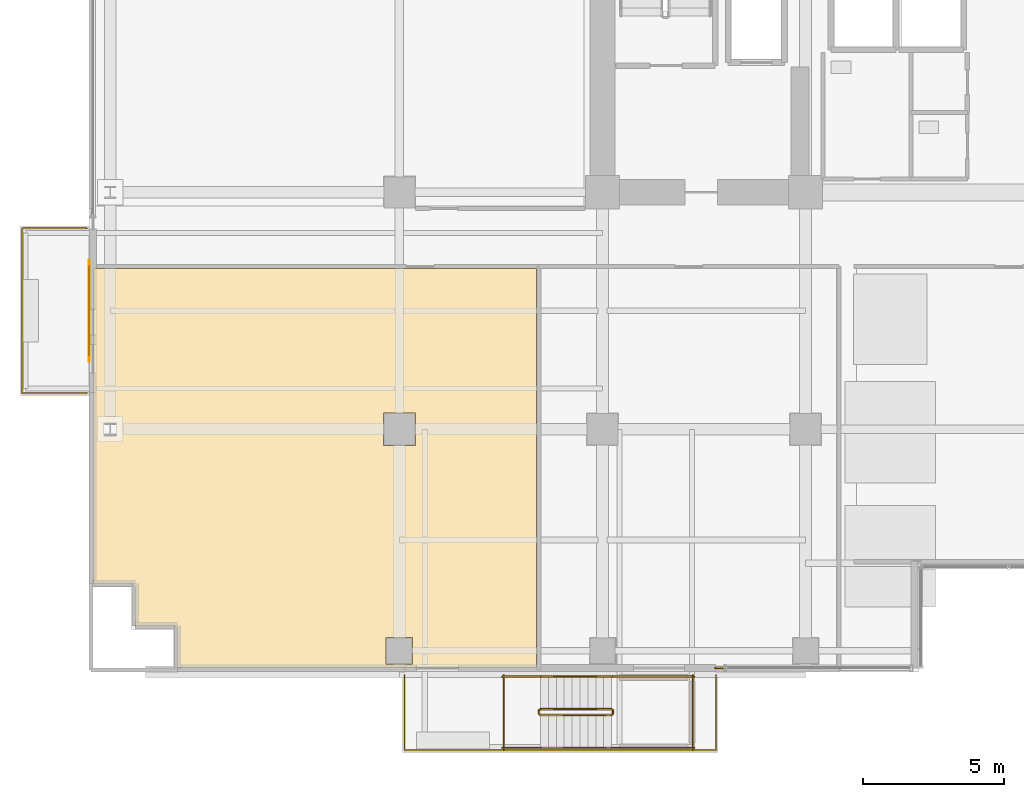
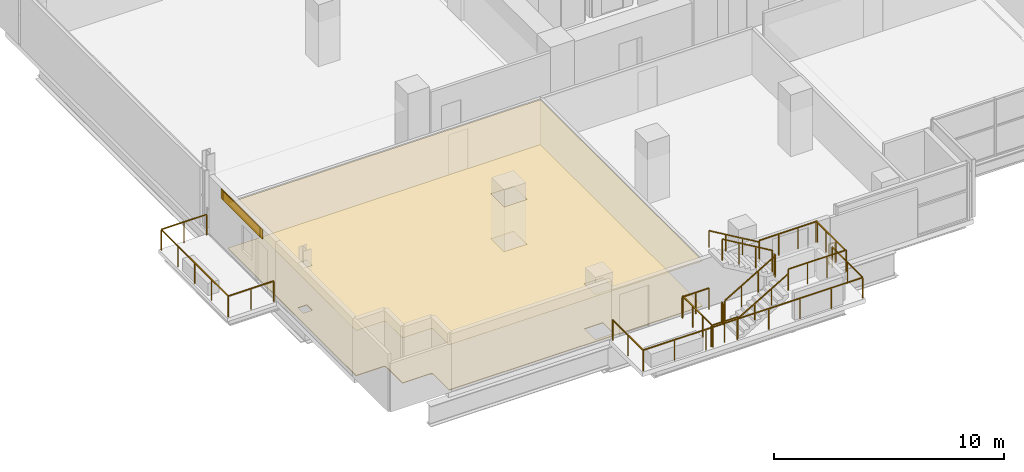
# One storey, part 28 of 32: 15 railings, 3 coverings, 1 shading device.
"""IFC4 building model written with IfcOpenShell, lengths in metres."""

from ifc_helpers import new_model, si_unit, direction, frame, origin, origin_2d, place, context, subcontext, project, spatial, polyline, rectangle, outline, extrude, source, transform, mapped, material, layer, layer_set, type_object, element, save


model = new_model("IFC4")

# Units and contexts
model_context = context("Model", 3, precision=1e-05, world=origin(), true_north=direction((0.0, 1.0)))
body_context = subcontext(model_context, "Body", "Model", "MODEL_VIEW")
ifc_project = project(units=[si_unit("LENGTHUNIT", "METRE"), si_unit("AREAUNIT", "SQUARE_METRE"), si_unit("VOLUMEUNIT", "CUBIC_METRE"), si_unit("PLANEANGLEUNIT", "RADIAN"), si_unit("MASSUNIT", "GRAM", prefix="KILO")], contexts=[model_context])

# Site, building, storey
site_placement = place(None, origin())
site = spatial("IfcSite", under=ifc_project, at=site_placement, CompositionType="ELEMENT")
building_placement = place(site_placement, origin())
building = spatial("IfcBuilding", under=site, at=building_placement, Name="Zarnakvel Exchange Tower", CompositionType="ELEMENT")
storey_placement = place(building_placement, frame((0.0, 0.0, 27.39990234375)))
storey = spatial("IfcBuildingStorey", under=building, at=storey_placement, Name="L06", CompositionType="ELEMENT", Elevation=27.39990234375)

# Coverings
ifc_material_1 = material(Name="Perforated Bronze Acoustic Metal Ceiling", Category="aluminium")
ifc_layer_1 = layer(ifc_material_1, 0.02001953125)
ifc_layer_set_1 = layer_set([ifc_layer_1], Name="Perforated Bronze Acoustic Metal Ceiling")
covering_type_1 = type_object("IfcCoveringType", Name="CLG-01", PredefinedType="CEILING", material=ifc_layer_set_1)
covering_1_placement = place(storey_placement, frame((0.0, 0.0, 2.405029296875)))
element("IfcCovering", 1, at=covering_1_placement, inside=storey, type_object=covering_type_1, Name="L06 Suspended Acoustic Ceiling (Electronic Trading Hall)", PredefinedType="CEILING", context=body_context, shape_type="SweptSolid", body=[
    extrude(outline(polyline([(-16.736083984375, -3.909912109375), (-16.736083984375, -18.050048828125), (-29.47998046875, -18.050048828125), (-29.47998046875, -16.699951171875), (-29.48046875, -16.688232421875), (-29.482421875, -16.676513671875), (-29.485107421875, -16.665283203125), (-29.489013671875, -16.654052734375), (-29.494140625, -16.643310546875), (-29.500244140625, -16.63330078125), (-29.50732421875, -16.623779296875), (-29.51513671875, -16.615234375), (-29.52392578125, -16.607177734375), (-29.533447265625, -16.600341796875), (-29.54345703125, -16.59423828125), (-29.55419921875, -16.589111328125), (-29.565185546875, -16.585205078125), (-29.57666015625, -16.582275390625), (-29.588134765625, -16.58056640625), (-29.60009765625, -16.580078125), (-30.97998046875, -16.580078125), (-30.97998046875, -15.199951171875), (-30.98046875, -15.188232421875), (-30.982421875, -15.176513671875), (-30.985107421875, -15.165283203125), (-30.989013671875, -15.154052734375), (-30.994140625, -15.143310546875), (-31.000244140625, -15.13330078125), (-31.00732421875, -15.123779296875), (-31.01513671875, -15.115234375), (-31.02392578125, -15.107177734375), (-31.033447265625, -15.100341796875), (-31.04345703125, -15.09423828125), (-31.05419921875, -15.089111328125), (-31.065185546875, -15.085205078125), (-31.07666015625, -15.082275390625), (-31.088134765625, -15.08056640625), (-31.10009765625, -15.080078125), (-32.449951171875, -15.080078125), (-32.449951171875, -3.909912109375), (-16.736083984375, -3.909912109375)]), holes=[polyline([(-21.030029296875, -10.169921875), (-21.030029296875, -9.030029296875), (-22.169921875, -9.030029296875), (-22.169921875, -10.169921875), (-21.030029296875, -10.169921875)]), polyline([(-21.1298828125, -17.919921875), (-21.1298828125, -16.97998046875), (-22.070068359375, -16.97998046875), (-22.070068359375, -17.919921875), (-21.1298828125, -17.919921875)]), polyline([(-32.075927734375, -9.83251953125), (-31.6240234375, -9.83251953125), (-31.6240234375, -9.367431640625), (-32.075927734375, -9.367431640625), (-32.075927734375, -9.83251953125)])]), origin(), (0.0, 0.0, 1.0), 0.02001953125),
])
ifc_material_2 = material(Name="Heavy-Duty Raised Access Floor Panel", Category="steel")
ifc_layer_2 = layer(ifc_material_2, 0.034912109375)
ifc_layer_set_2 = layer_set([ifc_layer_2], Name="Heavy-Duty Raised Access Floor Panel")
covering_type_2 = type_object("IfcCoveringType", Name="FLR-02", PredefinedType="FLOORING", material=ifc_layer_set_2)
covering_2_placement = place(storey_placement, origin())
element("IfcCovering", 2, at=covering_2_placement, inside=storey, type_object=covering_type_2, Name="L06 Floor Finish (Electronic Trading Hall)", PredefinedType="FLOORING", context=body_context, shape_type="SweptSolid", body=[
    extrude(outline(polyline([(-16.736083984375, -3.909912109375), (-16.736083984375, -18.050048828125), (-29.47998046875, -18.050048828125), (-29.47998046875, -16.699951171875), (-29.48046875, -16.688232421875), (-29.482421875, -16.676513671875), (-29.485107421875, -16.665283203125), (-29.489013671875, -16.654052734375), (-29.494140625, -16.643310546875), (-29.500244140625, -16.63330078125), (-29.50732421875, -16.623779296875), (-29.51513671875, -16.615234375), (-29.52392578125, -16.607177734375), (-29.533447265625, -16.600341796875), (-29.54345703125, -16.59423828125), (-29.55419921875, -16.589111328125), (-29.565185546875, -16.585205078125), (-29.57666015625, -16.582275390625), (-29.588134765625, -16.58056640625), (-29.60009765625, -16.580078125), (-30.97998046875, -16.580078125), (-30.97998046875, -15.199951171875), (-30.98046875, -15.188232421875), (-30.982421875, -15.176513671875), (-30.985107421875, -15.165283203125), (-30.989013671875, -15.154052734375), (-30.994140625, -15.143310546875), (-31.000244140625, -15.13330078125), (-31.00732421875, -15.123779296875), (-31.01513671875, -15.115234375), (-31.02392578125, -15.107177734375), (-31.033447265625, -15.100341796875), (-31.04345703125, -15.09423828125), (-31.05419921875, -15.089111328125), (-31.065185546875, -15.085205078125), (-31.07666015625, -15.082275390625), (-31.088134765625, -15.08056640625), (-31.10009765625, -15.080078125), (-32.449951171875, -15.080078125), (-32.449951171875, -3.909912109375), (-16.736083984375, -3.909912109375)]), holes=[polyline([(-21.030029296875, -10.169921875), (-21.030029296875, -9.030029296875), (-22.169921875, -9.030029296875), (-22.169921875, -10.169921875), (-21.030029296875, -10.169921875)]), polyline([(-21.1298828125, -17.919921875), (-21.1298828125, -16.97998046875), (-22.070068359375, -16.97998046875), (-22.070068359375, -17.919921875), (-21.1298828125, -17.919921875)]), polyline([(-32.075927734375, -9.83251953125), (-31.6240234375, -9.83251953125), (-31.6240234375, -9.367431640625), (-32.075927734375, -9.367431640625), (-32.075927734375, -9.83251953125)])]), origin(), (0.0, 0.0, 1.0), 0.03515625),
])

# Railings
ifc_material_3 = material(Name="Architectural Bronze Anodised Aluminium", Category="aluminium")
railing_type_1 = type_object("IfcRailingType", Name="GR-02", PredefinedType="GUARDRAIL", material=ifc_material_3)
railing_1_placement = place(storey_placement, frame((-32.679931640625, -8.320068359375, -0.059814453125)))
element("IfcRailing", 3, at=railing_1_placement, inside=storey, type_object=railing_type_1, Name="L06 Balcony Guardrail BAL-L06-W", PredefinedType="GUARDRAIL", context=body_context, shape_type="SweptSolid", body=[
    extrude(rectangle(XDim=0.048095703125, YDim=0.048095703125, at=origin_2d()), frame((0.0, 0.0, 1.09619140625), z_axis=(-1.0, 0.0, 0.0), x_axis=(0.0, -1.0, 0.0)), (0.0, 0.0, 1.0), 2.2900390625),
    extrude(rectangle(XDim=0.048095703125, YDim=0.048095703125, at=origin_2d()), frame((-2.2900390625, 0.0, 1.09619140625), z_axis=(0.0, 1.0, 0.0), x_axis=(-1.0, 0.0, 0.0)), (0.0, 0.0, 1.0), 5.840087890625),
    extrude(rectangle(XDim=0.048095703125, YDim=0.048095703125, at=origin_2d()), frame((-2.2900390625, 5.840087890625, 1.09619140625), z_axis=(1.0, 0.0, 0.0), x_axis=(0.0, 1.0, 0.0)), (0.0, 0.0, 1.0), 2.2900390625),
    extrude(rectangle(XDim=0.0419921875, YDim=0.0419921875, at=origin_2d()), origin(), (0.0, 0.0, 1.0), 1.072021484375),
    extrude(rectangle(XDim=0.0419921875, YDim=0.0419921875, at=origin_2d()), frame((-1.14501953125, 0.0, 0.0)), (0.0, 0.0, 1.0), 1.072021484375),
    extrude(rectangle(XDim=0.0419921875, YDim=0.0419921875, at=origin_2d()), frame((-2.2900390625, 0.0, 0.0)), (0.0, 0.0, 1.0), 1.072021484375),
    extrude(rectangle(XDim=0.0419921875, YDim=0.0419921875, at=origin_2d()), frame((-2.2900390625, 1.4599609375, 0.0)), (0.0, 0.0, 1.0), 1.072021484375),
    extrude(rectangle(XDim=0.0419921875, YDim=0.0419921875, at=origin_2d()), frame((-2.2900390625, 2.919921875, 0.0)), (0.0, 0.0, 1.0), 1.072021484375),
    extrude(rectangle(XDim=0.0419921875, YDim=0.0419921875, at=origin_2d()), frame((-2.2900390625, 4.380126953125, 0.0)), (0.0, 0.0, 1.0), 1.072021484375),
    extrude(rectangle(XDim=0.0419921875, YDim=0.0419921875, at=origin_2d()), frame((-2.2900390625, 5.840087890625, 0.0)), (0.0, 0.0, 1.0), 1.072021484375),
    extrude(rectangle(XDim=0.0419921875, YDim=0.0419921875, at=origin_2d()), frame((-1.14501953125, 5.840087890625, 0.0)), (0.0, 0.0, 1.0), 1.072021484375),
    extrude(rectangle(XDim=0.0419921875, YDim=0.0419921875, at=origin_2d()), frame((0.0, 5.840087890625, 0.0)), (0.0, 0.0, 1.0), 1.072021484375),
])
railing_2_placement = place(storey_placement, frame((-21.419921875, -18.320068359375, 0.0)))
element("IfcRailing", 4, at=railing_2_placement, inside=storey, type_object=railing_type_1, Name="L06 Spiral Sky-Terrace Perimeter Guardrail", PredefinedType="GUARDRAIL", context=body_context, shape_type="SweptSolid", body=[
    extrude(rectangle(XDim=0.048095703125, YDim=0.048095703125, at=origin_2d()), frame((0.0, 0.0, 1.09619140625), z_axis=(0.0, -1.0, 0.0), x_axis=(1.0, 0.0, 0.0)), (0.0, 0.0, 1.0), 2.659912109375),
    extrude(rectangle(XDim=0.048095703125, YDim=0.048095703125, at=origin_2d()), frame((0.0, -2.659912109375, 1.09619140625), z_axis=(1.0, 0.0, 0.0), x_axis=(0.0, 1.0, 0.0)), (0.0, 0.0, 1.0), 11.0400390625),
    extrude(rectangle(XDim=0.048095703125, YDim=0.048095703125, at=origin_2d()), frame((11.0400390625, -2.659912109375, 1.09619140625), z_axis=(0.0, 1.0, 0.0), x_axis=(-1.0, 0.0, 0.0)), (0.0, 0.0, 1.0), 2.659912109375),
    extrude(rectangle(XDim=0.0419921875, YDim=0.0419921875, at=origin_2d()), origin(), (0.0, 0.0, 1.0), 1.072021484375),
    extrude(rectangle(XDim=0.0419921875, YDim=0.0419921875, at=origin_2d()), frame((0.0, -1.330078125, 0.0)), (0.0, 0.0, 1.0), 1.072021484375),
    extrude(rectangle(XDim=0.0419921875, YDim=0.0419921875, at=origin_2d()), frame((0.0, -2.659912109375, 0.0)), (0.0, 0.0, 1.0), 1.072021484375),
    extrude(rectangle(XDim=0.0419921875, YDim=0.0419921875, at=origin_2d()), frame((1.5771484375, -2.659912109375, 0.0)), (0.0, 0.0, 1.0), 1.072021484375),
    extrude(rectangle(XDim=0.0419921875, YDim=0.0419921875, at=origin_2d()), frame((3.154296875, -2.659912109375, 0.0)), (0.0, 0.0, 1.0), 1.072021484375),
    extrude(rectangle(XDim=0.0419921875, YDim=0.0419921875, at=origin_2d()), frame((4.7314453125, -2.659912109375, 0.0)), (0.0, 0.0, 1.0), 1.072021484375),
    extrude(rectangle(XDim=0.0419921875, YDim=0.0419921875, at=origin_2d()), frame((6.30859375, -2.659912109375, 0.0)), (0.0, 0.0, 1.0), 1.072021484375),
    extrude(rectangle(XDim=0.0419921875, YDim=0.0419921875, at=origin_2d()), frame((7.8857421875, -2.659912109375, 0.0)), (0.0, 0.0, 1.0), 1.072021484375),
    extrude(rectangle(XDim=0.0419921875, YDim=0.0419921875, at=origin_2d()), frame((9.462890625, -2.659912109375, 0.0)), (0.0, 0.0, 1.0), 1.072021484375),
    extrude(rectangle(XDim=0.0419921875, YDim=0.0419921875, at=origin_2d()), frame((11.0400390625, -2.659912109375, 0.0)), (0.0, 0.0, 1.0), 1.072021484375),
    extrude(rectangle(XDim=0.0419921875, YDim=0.0419921875, at=origin_2d()), frame((11.0400390625, -1.330078125, 0.0)), (0.0, 0.0, 1.0), 1.072021484375),
    extrude(rectangle(XDim=0.0419921875, YDim=0.0419921875, at=origin_2d()), frame((11.0400390625, 0.0, 0.0)), (0.0, 0.0, 1.0), 1.072021484375),
])
railing_3_placement = place(storey_placement, frame((-10.10009765625, -18.06005859375, 0.0)))
element("IfcRailing", 5, at=railing_3_placement, inside=storey, type_object=railing_type_1, Name="L06 Corner Spandrel Balustrade #21", PredefinedType="GUARDRAIL", context=body_context, shape_type="SweptSolid", body=[
    extrude(rectangle(XDim=0.048095703125, YDim=0.048095703125, at=origin_2d()), frame((0.0, 0.0, 1.09619140625), z_axis=(-1.0, 0.0, 0.0), x_axis=(0.0, -1.0, 0.0)), (0.0, 0.0, 1.0), 0.2998046875),
    extrude(rectangle(XDim=0.0419921875, YDim=0.0419921875, at=origin_2d()), origin(), (0.0, 0.0, 1.0), 1.072021484375),
    extrude(rectangle(XDim=0.0419921875, YDim=0.0419921875, at=origin_2d()), frame((-0.2998046875, 0.0, 0.0)), (0.0, 0.0, 1.0), 1.072021484375),
])
ifc_material_4 = material(Name="Brushed Stainless Steel", Category="steel")
railing_type_2 = type_object("IfcRailingType", Name="HR-01", PredefinedType="HANDRAIL", material=ifc_material_4)
railing_4_placement = place(storey_placement, frame((-16.60009765625, -20.889892578125, 0.1650390625)))
element("IfcRailing", 6, at=railing_4_placement, inside=storey, type_object=railing_type_2, Name="L06 ST-07 stair handrail 1", PredefinedType="HANDRAIL", context=body_context, shape_type="SweptSolid", body=[
    extrude(rectangle(XDim=0.048095703125, YDim=0.048095703125, at=origin_2d()), frame((0.0, 0.0, 0.8759765625), z_axis=(0.86152411907, 0.0, 0.507716645641), x_axis=(0.0, 1.0, 0.0)), (0.0, 0.0, 1.0), 2.925048828125),
    extrude(rectangle(XDim=0.0419921875, YDim=0.0419921875, at=origin_2d()), origin(), (0.0, 0.0, 1.0), 0.851806640625),
    extrude(rectangle(XDim=0.0419921875, YDim=0.0419921875, at=origin_2d()), frame((0.840087890625, 0.0, 0.4951171875)), (0.0, 0.0, 1.0), 0.851806640625),
    extrude(rectangle(XDim=0.0419921875, YDim=0.0419921875, at=origin_2d()), frame((1.679931640625, 0.0, 0.989990234375)), (0.0, 0.0, 1.0), 0.851806640625),
    extrude(rectangle(XDim=0.0419921875, YDim=0.0419921875, at=origin_2d()), frame((2.52001953125, 0.0, 1.485107421875)), (0.0, 0.0, 1.0), 0.851806640625),
])
railing_5_placement = place(storey_placement, frame((-14.080078125, -18.3701171875, 1.815185546875)))
element("IfcRailing", 7, at=railing_5_placement, inside=storey, type_object=railing_type_2, Name="L06 ST-07 stair handrail 2", PredefinedType="HANDRAIL", context=body_context, shape_type="SweptSolid", body=[
    extrude(rectangle(XDim=0.048095703125, YDim=0.048095703125, at=origin_2d()), frame((0.0, 0.0, 0.8759765625), z_axis=(-0.861560626758, 0.0, 0.507654692109), x_axis=(0.0, -1.0, 0.0)), (0.0, 0.0, 1.0), 2.925048828125),
    extrude(rectangle(XDim=0.0419921875, YDim=0.0419921875, at=origin_2d()), origin(), (0.0, 0.0, 1.0), 0.851806640625),
    extrude(rectangle(XDim=0.0419921875, YDim=0.0419921875, at=origin_2d()), frame((-0.840087890625, 0.0, 0.494873046875)), (0.0, 0.0, 1.0), 0.851806640625),
    extrude(rectangle(XDim=0.0419921875, YDim=0.0419921875, at=origin_2d()), frame((-1.679931640625, 0.0, 0.989990234375)), (0.0, 0.0, 1.0), 0.851806640625),
    extrude(rectangle(XDim=0.0419921875, YDim=0.0419921875, at=origin_2d()), frame((-2.52001953125, 0.0, 1.48486328125)), (0.0, 0.0, 1.0), 0.851806640625),
])
railing_type_3 = type_object("IfcRailingType", Name="SG-01", PredefinedType="GUARDRAIL", material=ifc_material_3)
railing_6_placement = place(storey_placement, frame((-16.60009765625, -19.739990234375, 0.1650390625)))
element("IfcRailing", 8, at=railing_6_placement, inside=storey, type_object=railing_type_3, Name="L06 ST-07 stair guard 1", PredefinedType="GUARDRAIL", context=body_context, shape_type="SweptSolid", body=[
    extrude(rectangle(XDim=0.048095703125, YDim=0.048095703125, at=origin_2d()), frame((0.0, 0.0, 1.1259765625), z_axis=(0.86152411907, 0.0, 0.507716645641), x_axis=(0.0, 1.0, 0.0)), (0.0, 0.0, 1.0), 2.925048828125),
    extrude(rectangle(XDim=0.0419921875, YDim=0.0419921875, at=origin_2d()), origin(), (0.0, 0.0, 1.0), 1.101806640625),
    extrude(rectangle(XDim=0.0419921875, YDim=0.0419921875, at=origin_2d()), frame((0.840087890625, 0.0, 0.4951171875)), (0.0, 0.0, 1.0), 1.101806640625),
    extrude(rectangle(XDim=0.0419921875, YDim=0.0419921875, at=origin_2d()), frame((1.679931640625, 0.0, 0.989990234375)), (0.0, 0.0, 1.0), 1.101806640625),
    extrude(rectangle(XDim=0.0419921875, YDim=0.0419921875, at=origin_2d()), frame((2.52001953125, 0.0, 1.485107421875)), (0.0, 0.0, 1.0), 1.101806640625),
])
railing_7_placement = place(storey_placement, frame((-14.030029296875, -19.68994140625, 1.650146484375)))
element("IfcRailing", 9, at=railing_7_placement, inside=storey, type_object=railing_type_3, Name="L06 ST-07 stair guard 2", PredefinedType="GUARDRAIL", context=body_context, shape_type="SweptSolid", body=[
    extrude(rectangle(XDim=0.048095703125, YDim=0.048095703125, at=origin_2d()), frame((0.0, 0.0, 1.1259765625), z_axis=(0.0, 1.0, 0.0), x_axis=(-1.0, 0.0, 0.0)), (0.0, 0.0, 1.0), 0.119873046875),
    extrude(rectangle(XDim=0.0419921875, YDim=0.0419921875, at=origin_2d()), origin(), (0.0, 0.0, 1.0), 1.101806640625),
    extrude(rectangle(XDim=0.0419921875, YDim=0.0419921875, at=origin_2d()), frame((0.0, 0.119873046875, 0.0)), (0.0, 0.0, 1.0), 1.101806640625),
])
for number, where, name in (
    (10, (-14.080078125, -20.889892578125, 1.650146484375), "L06 ST-07 stair guard 3"),
    (11, (-14.080078125, -18.3701171875, 1.650146484375), "L06 ST-07 stair guard 4"),
):
    element("IfcRailing", number, at=place(storey_placement, frame(where)), inside=storey, type_object=railing_type_3, Name=name, PredefinedType="GUARDRAIL", context=body_context, shape_type="SweptSolid", body=[
        extrude(rectangle(XDim=0.048095703125, YDim=0.048095703125, at=origin_2d()), frame((0.0, 0.0, 1.1259765625), z_axis=(1.0, 0.0, 0.0), x_axis=(0.0, 1.0, 0.0)), (0.0, 0.0, 1.0), 2.93017578125),
        extrude(rectangle(XDim=0.0419921875, YDim=0.0419921875, at=origin_2d()), origin(), (0.0, 0.0, 1.0), 1.101806640625),
        extrude(rectangle(XDim=0.0419921875, YDim=0.0419921875, at=origin_2d()), frame((0.976806640625, 0.0, 0.0)), (0.0, 0.0, 1.0), 1.101806640625),
        extrude(rectangle(XDim=0.0419921875, YDim=0.0419921875, at=origin_2d()), frame((1.953369140625, 0.0, 0.0)), (0.0, 0.0, 1.0), 1.101806640625),
        extrude(rectangle(XDim=0.0419921875, YDim=0.0419921875, at=origin_2d()), frame((2.93017578125, 0.0, 0.0)), (0.0, 0.0, 1.0), 1.101806640625),
    ])
railing_8_placement = place(storey_placement, frame((-11.199951171875, -20.93994140625, 1.650146484375)))
element("IfcRailing", 12, at=railing_8_placement, inside=storey, type_object=railing_type_3, Name="L06 ST-07 stair guard 5", PredefinedType="GUARDRAIL", context=body_context, shape_type="SweptSolid", body=[
    extrude(rectangle(XDim=0.048095703125, YDim=0.048095703125, at=origin_2d()), frame((0.0, 0.0, 1.1259765625), z_axis=(0.0, 1.0, 0.0), x_axis=(-1.0, 0.0, 0.0)), (0.0, 0.0, 1.0), 2.619873046875),
    extrude(rectangle(XDim=0.0419921875, YDim=0.0419921875, at=origin_2d()), origin(), (0.0, 0.0, 1.0), 1.101806640625),
    extrude(rectangle(XDim=0.0419921875, YDim=0.0419921875, at=origin_2d()), frame((0.0, 0.873291015625, 0.0)), (0.0, 0.0, 1.0), 1.101806640625),
    extrude(rectangle(XDim=0.0419921875, YDim=0.0419921875, at=origin_2d()), frame((0.0, 1.74658203125, 0.0)), (0.0, 0.0, 1.0), 1.101806640625),
    extrude(rectangle(XDim=0.0419921875, YDim=0.0419921875, at=origin_2d()), frame((0.0, 2.619873046875, 0.0)), (0.0, 0.0, 1.0), 1.101806640625),
])
railing_9_placement = place(storey_placement, frame((-14.080078125, -19.52001953125, 1.815185546875)))
element("IfcRailing", 13, at=railing_9_placement, inside=storey, type_object=railing_type_3, Name="L06 ST-07 stair guard 6", PredefinedType="GUARDRAIL", context=body_context, shape_type="SweptSolid", body=[
    extrude(rectangle(XDim=0.048095703125, YDim=0.048095703125, at=origin_2d()), frame((0.0, 0.0, 1.1259765625), z_axis=(-0.861560626758, 0.0, 0.507654692109), x_axis=(0.0, -1.0, 0.0)), (0.0, 0.0, 1.0), 2.925048828125),
    extrude(rectangle(XDim=0.0419921875, YDim=0.0419921875, at=origin_2d()), origin(), (0.0, 0.0, 1.0), 1.101806640625),
    extrude(rectangle(XDim=0.0419921875, YDim=0.0419921875, at=origin_2d()), frame((-0.840087890625, 0.0, 0.494873046875)), (0.0, 0.0, 1.0), 1.101806640625),
    extrude(rectangle(XDim=0.0419921875, YDim=0.0419921875, at=origin_2d()), frame((-1.679931640625, 0.0, 0.989990234375)), (0.0, 0.0, 1.0), 1.101806640625),
    extrude(rectangle(XDim=0.0419921875, YDim=0.0419921875, at=origin_2d()), frame((-2.52001953125, 0.0, 1.48486328125)), (0.0, 0.0, 1.0), 1.101806640625),
])
railing_10_placement = place(storey_placement, frame((-16.64990234375, -19.68994140625, 0.0)))
element("IfcRailing", 14, at=railing_10_placement, inside=storey, type_object=railing_type_3, Name="L06 ST-07 stair guard 7", PredefinedType="GUARDRAIL", context=body_context, shape_type="SweptSolid", body=[
    extrude(rectangle(XDim=0.048095703125, YDim=0.048095703125, at=origin_2d()), frame((0.0, 0.0, 1.1259765625), z_axis=(0.0, 1.0, 0.0), x_axis=(-1.0, 0.0, 0.0)), (0.0, 0.0, 1.0), 0.119873046875),
    extrude(rectangle(XDim=0.0419921875, YDim=0.0419921875, at=origin_2d()), origin(), (0.0, 0.0, 1.0), 1.101806640625),
    extrude(rectangle(XDim=0.0419921875, YDim=0.0419921875, at=origin_2d()), frame((0.0, 0.119873046875, 0.0)), (0.0, 0.0, 1.0), 1.101806640625),
])
for number, where, name in (
    (15, (-17.949951171875, -20.889892578125, 0.0), "L06 ST-07 stair guard 8"),
    (16, (-17.949951171875, -18.3701171875, 0.0), "L06 ST-07 stair guard 9"),
):
    element("IfcRailing", number, at=place(storey_placement, frame(where)), inside=storey, type_object=railing_type_3, Name=name, PredefinedType="GUARDRAIL", context=body_context, shape_type="SweptSolid", body=[
        extrude(rectangle(XDim=0.048095703125, YDim=0.048095703125, at=origin_2d()), frame((0.0, 0.0, 1.1259765625), z_axis=(1.0, 0.0, 0.0), x_axis=(0.0, 1.0, 0.0)), (0.0, 0.0, 1.0), 1.349853515625),
        extrude(rectangle(XDim=0.0419921875, YDim=0.0419921875, at=origin_2d()), origin(), (0.0, 0.0, 1.0), 1.101806640625),
        extrude(rectangle(XDim=0.0419921875, YDim=0.0419921875, at=origin_2d()), frame((0.6748046875, 0.0, 0.0)), (0.0, 0.0, 1.0), 1.101806640625),
        extrude(rectangle(XDim=0.0419921875, YDim=0.0419921875, at=origin_2d()), frame((1.349853515625, 0.0, 0.0)), (0.0, 0.0, 1.0), 1.101806640625),
    ])
railing_11_placement = place(storey_placement, frame((-17.89990234375, -20.93994140625, 0.0)))
element("IfcRailing", 17, at=railing_11_placement, inside=storey, type_object=railing_type_3, Name="L06 ST-07 stair guard 10", PredefinedType="GUARDRAIL", context=body_context, shape_type="SweptSolid", body=[
    extrude(rectangle(XDim=0.048095703125, YDim=0.048095703125, at=origin_2d()), frame((0.0, 0.0, 1.1259765625), z_axis=(0.0, 1.0, 0.0), x_axis=(-1.0, 0.0, 0.0)), (0.0, 0.0, 1.0), 2.619873046875),
    extrude(rectangle(XDim=0.0419921875, YDim=0.0419921875, at=origin_2d()), origin(), (0.0, 0.0, 1.0), 1.101806640625),
    extrude(rectangle(XDim=0.0419921875, YDim=0.0419921875, at=origin_2d()), frame((0.0, 0.873291015625, 0.0)), (0.0, 0.0, 1.0), 1.101806640625),
    extrude(rectangle(XDim=0.0419921875, YDim=0.0419921875, at=origin_2d()), frame((0.0, 1.74658203125, 0.0)), (0.0, 0.0, 1.0), 1.101806640625),
    extrude(rectangle(XDim=0.0419921875, YDim=0.0419921875, at=origin_2d()), frame((0.0, 2.619873046875, 0.0)), (0.0, 0.0, 1.0), 1.101806640625),
])

# Covering
ifc_material_5 = material(Name="Warm Sandstone Terracotta Spandrel Tile", Category="masonry")
ifc_layer_3 = layer(ifc_material_5, 0.031982421875)
ifc_layer_set_3 = layer_set([ifc_layer_3], Name="Warm Sandstone Terracotta Spandrel Tile")
covering_type_3 = type_object("IfcCoveringType", Name="CL-02", PredefinedType="CLADDING", material=ifc_layer_set_3)
shared_shape_1 = source(origin(), body_context, "Body", "SweptSolid", [
    extrude(rectangle(XDim=3.60009765625, YDim=0.031982421875, at=origin_2d()), origin(), (0.0, 0.0, 1.0), 0.4951171875),
])
covering_3_placement = place(storey_placement, frame((-32.593994140625, -5.39990234375, 2.56005859375), z_axis=(0.0, 0.0, 1.0), x_axis=(0.0, 1.0, 0.0)))
element("IfcCovering", 18, at=covering_3_placement, inside=storey, type_object=covering_type_3, Name="L06 Ceramic Spandrel Tilework CL-02", PredefinedType="CLADDING", context=body_context, shape_type="MappedRepresentation", body=[
    mapped(shared_shape_1, transform((0.0, 0.0, 0.0), x_axis=(1.0, 0.0, 0.0), y_axis=(0.0, 1.0, 0.0), z_axis=(0.0, 0.0, 1.0), scale=1.0)),
])

# Shading device
ifc_material_6 = material(Name="Perforated Architectural Bronze Screen", Category="aluminium")
ifc_layer_4 = layer(ifc_material_6, 0.044921875)
ifc_layer_set_4 = layer_set([ifc_layer_4], Name="Perforated Architectural Bronze Screen")
shading_device_type = type_object("IfcShadingDeviceType", Name="SS-01", PredefinedType="JALOUSIE", material=ifc_layer_set_4)
shared_shape_2 = source(origin(), body_context, "Body", "SweptSolid", [
    extrude(rectangle(XDim=3.199951171875, YDim=0.044921875, at=origin_2d()), origin(), (0.0, 0.0, 1.0), 0.4951171875),
])
shading_device_placement = place(storey_placement, frame((-32.6005859375, -5.39990234375, 2.56005859375), z_axis=(0.0, 0.0, 1.0), x_axis=(0.0, 1.0, 0.0)))
element("IfcShadingDevice", 19, at=shading_device_placement, inside=storey, type_object=shading_device_type, Name="L06 Bronze Solar Shading Screen SS-01", PredefinedType="JALOUSIE", context=body_context, shape_type="MappedRepresentation", body=[
    mapped(shared_shape_2, transform((0.0, 0.0, 0.0), x_axis=(1.0, 0.0, 0.0), y_axis=(0.0, 1.0, 0.0), z_axis=(0.0, 0.0, 1.0), scale=1.0)),
])

save(model, "model.ifc")
